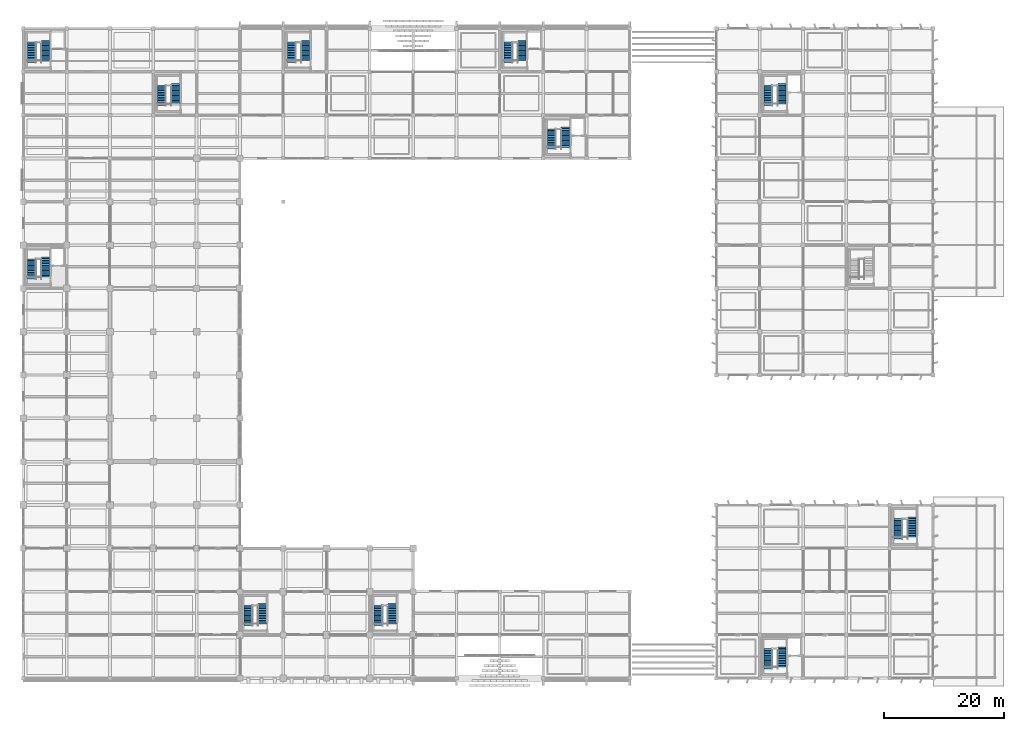
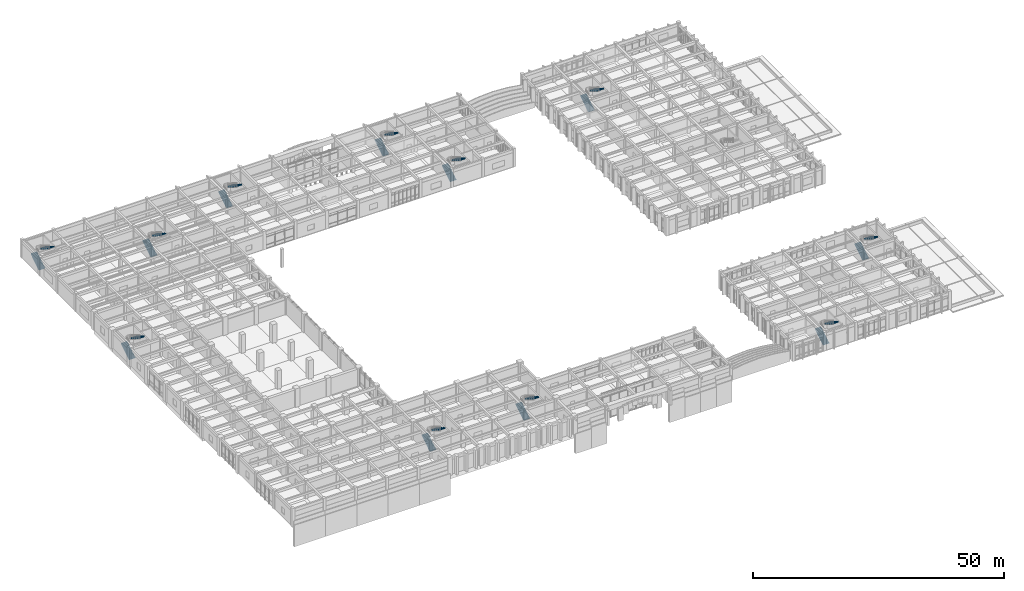
# One storey, part 71 of 81: 22 stair flights, 11 elements without a shape of their own.
"""IFC4 building model written with IfcOpenShell, lengths in metres."""

from ifc_helpers import new_model, si_unit, direction, frame, origin, place, context, subcontext, project, spatial, polyline, outline, extrude, material, type_object, element, aggregate, save


model = new_model("IFC4")

# Units and contexts
model_context = context("Model", 3, precision=1e-05, world=origin(), true_north=direction((0.0, 1.0)))
body_context = subcontext(model_context, "Body", "Model", "MODEL_VIEW")
ifc_project = project(units=[si_unit("LENGTHUNIT", "METRE"), si_unit("AREAUNIT", "SQUARE_METRE"), si_unit("VOLUMEUNIT", "CUBIC_METRE"), si_unit("PLANEANGLEUNIT", "RADIAN"), si_unit("MASSUNIT", "GRAM", prefix="KILO")], contexts=[model_context])

# Site, building, storey
site_placement = place(None, origin())
site = spatial("IfcSite", under=ifc_project, at=site_placement, CompositionType="ELEMENT")
building_placement = place(site_placement, origin())
building = spatial("IfcBuilding", under=site, at=building_placement, Name="Kavelor Marine Aquarium", CompositionType="ELEMENT")
storey_placement = place(building_placement, frame((0.0, 0.0, 4.679931640625)))
storey = spatial("IfcBuildingStorey", under=building, at=storey_placement, Name="L01", CompositionType="ELEMENT", Elevation=4.679931640625)

# Stair, stair flights
ifc_material_1 = material(Name="Concrete C40/50", Category="concrete")
stair_type = type_object("IfcStairType", Name="ST-T2", PredefinedType="HALF_TURN_STAIR", material=ifc_material_1)
stair_1_placement = place(storey_placement, origin())
stair_1 = element("IfcStair", 1, at=stair_1_placement, inside=storey, type_object=stair_type, Name="Exit Stair ST01 (L01)", PredefinedType="HALF_TURN_STAIR")
ifc_material_2 = material(Name="Concrete C40/50", Category="concrete")
stair_flight_type = type_object("IfcStairFlightType", Name="FLT-T2", PredefinedType="STRAIGHT", material=ifc_material_2)
stair_flight_1_placement = place(storey_placement, frame((4.580078125, 105.159912109375, 0.0), z_axis=(0.0, 0.0, 1.0), x_axis=(0.0, 1.0, 0.0)))
stair_flight_1 = element("IfcStairFlight", 2, at=stair_flight_1_placement, type_object=stair_flight_type, Name="ST01 flight 1", NumberOfRisers=13, NumberOfTreads=12, PredefinedType="STRAIGHT", RiserHeight=0.173077, TreadLength=0.28, context=body_context, shape_type="SweptSolid", body=[
    extrude(outline(polyline([(0.0, 0.0), (0.0, 0.173095703125), (0.280029296875, 0.173095703125), (0.280029296875, 0.34619140625), (0.56005859375, 0.34619140625), (0.56005859375, 0.519287109375), (0.840087890625, 0.519287109375), (0.840087890625, 0.6923828125), (1.1201171875, 0.6923828125), (1.1201171875, 0.865478515625), (1.39990234375, 0.865478515625), (1.39990234375, 1.03857421875), (1.679931640625, 1.03857421875), (1.679931640625, 1.21142578125), (1.9599609375, 1.21142578125), (1.9599609375, 1.384521484375), (2.239990234375, 1.384521484375), (2.239990234375, 1.5576171875), (2.52001953125, 1.5576171875), (2.52001953125, 1.730712890625), (2.800048828125, 1.730712890625), (2.800048828125, 1.90380859375), (3.080078125, 1.90380859375), (3.080078125, 2.076904296875), (3.360107421875, 2.076904296875), (3.360107421875, 2.25), (3.360107421875, 1.865478515625), (0.34228515625, 0.0), (0.0, 0.0)])), frame((0.0, 0.68994140625, 0.0), z_axis=(0.0, -1.0, 0.0), x_axis=(1.0, 0.0, 0.0)), (0.0, 0.0, 1.0), 1.3798828125),
])
stair_flight_2_placement = place(storey_placement, frame((6.89990234375, 108.820068359375, 2.25), z_axis=(0.0, 0.0, 1.0), x_axis=(0.0, -1.0, 0.0)))
stair_flight_2 = element("IfcStairFlight", 3, at=stair_flight_2_placement, type_object=stair_flight_type, Name="ST01 flight 2", NumberOfRisers=13, NumberOfTreads=12, PredefinedType="STRAIGHT", RiserHeight=0.173077, TreadLength=0.28, context=body_context, shape_type="SweptSolid", body=[
    extrude(outline(polyline([(0.0, 0.0), (0.0, 0.173095703125), (0.280029296875, 0.173095703125), (0.280029296875, 0.34619140625), (0.56005859375, 0.34619140625), (0.56005859375, 0.519287109375), (0.840087890625, 0.519287109375), (0.840087890625, 0.6923828125), (1.1201171875, 0.6923828125), (1.1201171875, 0.865478515625), (1.39990234375, 0.865478515625), (1.39990234375, 1.03857421875), (1.679931640625, 1.03857421875), (1.679931640625, 1.21142578125), (1.9599609375, 1.21142578125), (1.9599609375, 1.384521484375), (2.239990234375, 1.384521484375), (2.239990234375, 1.5576171875), (2.52001953125, 1.5576171875), (2.52001953125, 1.730712890625), (2.800048828125, 1.730712890625), (2.800048828125, 1.90380859375), (3.080078125, 1.90380859375), (3.080078125, 2.076904296875), (3.360107421875, 2.076904296875), (3.360107421875, 2.25), (3.360107421875, 1.865478515625), (0.34228515625, 0.0), (0.0, 0.0)])), frame((0.0, 0.68994140625, 0.0), z_axis=(0.0, -1.0, 0.0), x_axis=(1.0, 0.0, 0.0)), (0.0, 0.0, 1.0), 1.3798828125),
])
aggregate(stair_1, [stair_flight_1, stair_flight_2])

stair_2_placement = place(storey_placement, origin())
stair_2 = element("IfcStair", 4, at=stair_2_placement, inside=storey, type_object=stair_type, Name="Exit Stair ST02 (L01)", PredefinedType="HALF_TURN_STAIR")
stair_flight_3_placement = place(storey_placement, frame((26.179931640625, 97.9599609375, 0.0), z_axis=(0.0, 0.0, 1.0), x_axis=(0.0, 1.0, 0.0)))
stair_flight_3 = element("IfcStairFlight", 5, at=stair_flight_3_placement, type_object=stair_flight_type, Name="ST02 flight 1", NumberOfRisers=13, NumberOfTreads=12, PredefinedType="STRAIGHT", RiserHeight=0.173077, TreadLength=0.28, context=body_context, shape_type="SweptSolid", body=[
    extrude(outline(polyline([(0.0, 0.0), (0.0, 0.173095703125), (0.280029296875, 0.173095703125), (0.280029296875, 0.34619140625), (0.56005859375, 0.34619140625), (0.56005859375, 0.519287109375), (0.840087890625, 0.519287109375), (0.840087890625, 0.6923828125), (1.1201171875, 0.6923828125), (1.1201171875, 0.865478515625), (1.39990234375, 0.865478515625), (1.39990234375, 1.03857421875), (1.679931640625, 1.03857421875), (1.679931640625, 1.21142578125), (1.9599609375, 1.21142578125), (1.9599609375, 1.384521484375), (2.239990234375, 1.384521484375), (2.239990234375, 1.5576171875), (2.52001953125, 1.5576171875), (2.52001953125, 1.730712890625), (2.800048828125, 1.730712890625), (2.800048828125, 1.90380859375), (3.080078125, 1.90380859375), (3.080078125, 2.076904296875), (3.360107421875, 2.076904296875), (3.360107421875, 2.25), (3.360107421875, 1.865478515625), (0.34228515625, 0.0), (0.0, 0.0)])), frame((0.0, 0.68994140625, 0.0), z_axis=(0.0, -1.0, 0.0), x_axis=(1.0, 0.0, 0.0)), (0.0, 0.0, 1.0), 1.3798828125),
])
stair_flight_4_placement = place(storey_placement, frame((28.5, 101.6201171875, 2.25), z_axis=(0.0, 0.0, 1.0), x_axis=(0.0, -1.0, 0.0)))
stair_flight_4 = element("IfcStairFlight", 6, at=stair_flight_4_placement, type_object=stair_flight_type, Name="ST02 flight 2", NumberOfRisers=13, NumberOfTreads=12, PredefinedType="STRAIGHT", RiserHeight=0.173077, TreadLength=0.28, context=body_context, shape_type="SweptSolid", body=[
    extrude(outline(polyline([(0.0, 0.0), (0.0, 0.173095703125), (0.280029296875, 0.173095703125), (0.280029296875, 0.34619140625), (0.56005859375, 0.34619140625), (0.56005859375, 0.519287109375), (0.840087890625, 0.519287109375), (0.840087890625, 0.6923828125), (1.1201171875, 0.6923828125), (1.1201171875, 0.865478515625), (1.39990234375, 0.865478515625), (1.39990234375, 1.03857421875), (1.679931640625, 1.03857421875), (1.679931640625, 1.21142578125), (1.9599609375, 1.21142578125), (1.9599609375, 1.384521484375), (2.239990234375, 1.384521484375), (2.239990234375, 1.5576171875), (2.52001953125, 1.5576171875), (2.52001953125, 1.730712890625), (2.800048828125, 1.730712890625), (2.800048828125, 1.90380859375), (3.080078125, 1.90380859375), (3.080078125, 2.076904296875), (3.360107421875, 2.076904296875), (3.360107421875, 2.25), (3.360107421875, 1.865478515625), (0.34228515625, 0.0), (0.0, 0.0)])), frame((0.0, 0.68994140625, 0.0), z_axis=(0.0, -1.0, 0.0), x_axis=(1.0, 0.0, 0.0)), (0.0, 0.0, 1.0), 1.3798828125),
])
aggregate(stair_2, [stair_flight_3, stair_flight_4])

stair_3_placement = place(storey_placement, origin())
stair_3 = element("IfcStair", 7, at=stair_3_placement, inside=storey, type_object=stair_type, Name="Exit Stair ST03 (L01)", PredefinedType="HALF_TURN_STAIR")
stair_flight_5_placement = place(storey_placement, frame((4.580078125, 69.159912109375, 0.0), z_axis=(0.0, 0.0, 1.0), x_axis=(0.0, 1.0, 0.0)))
stair_flight_5 = element("IfcStairFlight", 8, at=stair_flight_5_placement, type_object=stair_flight_type, Name="ST03 flight 1", NumberOfRisers=13, NumberOfTreads=12, PredefinedType="STRAIGHT", RiserHeight=0.173077, TreadLength=0.28, context=body_context, shape_type="SweptSolid", body=[
    extrude(outline(polyline([(0.0, 0.0), (0.0, 0.173095703125), (0.280029296875, 0.173095703125), (0.280029296875, 0.34619140625), (0.56005859375, 0.34619140625), (0.56005859375, 0.519287109375), (0.840087890625, 0.519287109375), (0.840087890625, 0.6923828125), (1.1201171875, 0.6923828125), (1.1201171875, 0.865478515625), (1.39990234375, 0.865478515625), (1.39990234375, 1.03857421875), (1.679931640625, 1.03857421875), (1.679931640625, 1.21142578125), (1.9599609375, 1.21142578125), (1.9599609375, 1.384521484375), (2.239990234375, 1.384521484375), (2.239990234375, 1.5576171875), (2.52001953125, 1.5576171875), (2.52001953125, 1.730712890625), (2.800048828125, 1.730712890625), (2.800048828125, 1.90380859375), (3.080078125, 1.90380859375), (3.080078125, 2.076904296875), (3.360107421875, 2.076904296875), (3.360107421875, 2.25), (3.360107421875, 1.865478515625), (0.34228515625, 0.0), (0.0, 0.0)])), frame((0.0, 0.68994140625, 0.0), z_axis=(0.0, -1.0, 0.0), x_axis=(1.0, 0.0, 0.0)), (0.0, 0.0, 1.0), 1.3798828125),
])
stair_flight_6_placement = place(storey_placement, frame((6.89990234375, 72.820068359375, 2.25), z_axis=(0.0, 0.0, 1.0), x_axis=(0.0, -1.0, 0.0)))
stair_flight_6 = element("IfcStairFlight", 9, at=stair_flight_6_placement, type_object=stair_flight_type, Name="ST03 flight 2", NumberOfRisers=13, NumberOfTreads=12, PredefinedType="STRAIGHT", RiserHeight=0.173077, TreadLength=0.28, context=body_context, shape_type="SweptSolid", body=[
    extrude(outline(polyline([(0.0, 0.0), (0.0, 0.173095703125), (0.280029296875, 0.173095703125), (0.280029296875, 0.34619140625), (0.56005859375, 0.34619140625), (0.56005859375, 0.519287109375), (0.840087890625, 0.519287109375), (0.840087890625, 0.6923828125), (1.1201171875, 0.6923828125), (1.1201171875, 0.865478515625), (1.39990234375, 0.865478515625), (1.39990234375, 1.03857421875), (1.679931640625, 1.03857421875), (1.679931640625, 1.21142578125), (1.9599609375, 1.21142578125), (1.9599609375, 1.384521484375), (2.239990234375, 1.384521484375), (2.239990234375, 1.5576171875), (2.52001953125, 1.5576171875), (2.52001953125, 1.730712890625), (2.800048828125, 1.730712890625), (2.800048828125, 1.90380859375), (3.080078125, 1.90380859375), (3.080078125, 2.076904296875), (3.360107421875, 2.076904296875), (3.360107421875, 2.25), (3.360107421875, 1.865478515625), (0.34228515625, 0.0), (0.0, 0.0)])), frame((0.0, 0.68994140625, 0.0), z_axis=(0.0, -1.0, 0.0), x_axis=(1.0, 0.0, 0.0)), (0.0, 0.0, 1.0), 1.3798828125),
])
aggregate(stair_3, [stair_flight_5, stair_flight_6])

stair_4_placement = place(storey_placement, origin())
stair_4 = element("IfcStair", 10, at=stair_4_placement, inside=storey, type_object=stair_type, Name="Exit Stair ST04 (L01)", PredefinedType="HALF_TURN_STAIR")
stair_flight_7_placement = place(storey_placement, frame((40.580078125, 11.56005859375, 0.0), z_axis=(0.0, 0.0, 1.0), x_axis=(0.0, 1.0, 0.0)))
stair_flight_7 = element("IfcStairFlight", 11, at=stair_flight_7_placement, type_object=stair_flight_type, Name="ST04 flight 1", NumberOfRisers=13, NumberOfTreads=12, PredefinedType="STRAIGHT", RiserHeight=0.173077, TreadLength=0.28, context=body_context, shape_type="SweptSolid", body=[
    extrude(outline(polyline([(0.0, 0.0), (0.0, 0.173095703125), (0.280029296875, 0.173095703125), (0.280029296875, 0.34619140625), (0.56005859375, 0.34619140625), (0.56005859375, 0.519287109375), (0.840087890625, 0.519287109375), (0.840087890625, 0.6923828125), (1.1201171875, 0.6923828125), (1.1201171875, 0.865478515625), (1.39990234375, 0.865478515625), (1.39990234375, 1.03857421875), (1.679931640625, 1.03857421875), (1.679931640625, 1.21142578125), (1.9599609375, 1.21142578125), (1.9599609375, 1.384521484375), (2.239990234375, 1.384521484375), (2.239990234375, 1.5576171875), (2.52001953125, 1.5576171875), (2.52001953125, 1.730712890625), (2.800048828125, 1.730712890625), (2.800048828125, 1.90380859375), (3.080078125, 1.90380859375), (3.080078125, 2.076904296875), (3.360107421875, 2.076904296875), (3.360107421875, 2.25), (3.360107421875, 1.865478515625), (0.34228515625, 0.0), (0.0, 0.0)])), frame((0.0, 0.68994140625, 0.0), z_axis=(0.0, -1.0, 0.0), x_axis=(1.0, 0.0, 0.0)), (0.0, 0.0, 1.0), 1.3798828125),
])
stair_flight_8_placement = place(storey_placement, frame((42.89990234375, 15.219970703125, 2.25), z_axis=(0.0, 0.0, 1.0), x_axis=(0.0, -1.0, 0.0)))
stair_flight_8 = element("IfcStairFlight", 12, at=stair_flight_8_placement, type_object=stair_flight_type, Name="ST04 flight 2", NumberOfRisers=13, NumberOfTreads=12, PredefinedType="STRAIGHT", RiserHeight=0.173077, TreadLength=0.28, context=body_context, shape_type="SweptSolid", body=[
    extrude(outline(polyline([(0.0, 0.0), (0.0, 0.173095703125), (0.280029296875, 0.173095703125), (0.280029296875, 0.34619140625), (0.56005859375, 0.34619140625), (0.56005859375, 0.519287109375), (0.840087890625, 0.519287109375), (0.840087890625, 0.6923828125), (1.1201171875, 0.6923828125), (1.1201171875, 0.865478515625), (1.39990234375, 0.865478515625), (1.39990234375, 1.03857421875), (1.679931640625, 1.03857421875), (1.679931640625, 1.21142578125), (1.9599609375, 1.21142578125), (1.9599609375, 1.384521484375), (2.239990234375, 1.384521484375), (2.239990234375, 1.5576171875), (2.52001953125, 1.5576171875), (2.52001953125, 1.730712890625), (2.800048828125, 1.730712890625), (2.800048828125, 1.90380859375), (3.080078125, 1.90380859375), (3.080078125, 2.076904296875), (3.360107421875, 2.076904296875), (3.360107421875, 2.25), (3.360107421875, 1.865478515625), (0.34228515625, 0.0), (0.0, 0.0)])), frame((0.0, 0.68994140625, 0.0), z_axis=(0.0, -1.0, 0.0), x_axis=(1.0, 0.0, 0.0)), (0.0, 0.0, 1.0), 1.3798828125),
])
aggregate(stair_4, [stair_flight_7, stair_flight_8])

stair_5_placement = place(storey_placement, origin())
stair_5 = element("IfcStair", 13, at=stair_5_placement, inside=storey, type_object=stair_type, Name="Exit Stair ST12 (L01)", PredefinedType="HALF_TURN_STAIR")
stair_flight_9_placement = place(storey_placement, frame((62.179931640625, 11.56005859375, 0.0), z_axis=(0.0, 0.0, 1.0), x_axis=(0.0, 1.0, 0.0)))
stair_flight_9 = element("IfcStairFlight", 14, at=stair_flight_9_placement, type_object=stair_flight_type, Name="ST12 flight 1", NumberOfRisers=13, NumberOfTreads=12, PredefinedType="STRAIGHT", RiserHeight=0.173077, TreadLength=0.28, context=body_context, shape_type="SweptSolid", body=[
    extrude(outline(polyline([(0.0, 0.0), (0.0, 0.173095703125), (0.280029296875, 0.173095703125), (0.280029296875, 0.34619140625), (0.56005859375, 0.34619140625), (0.56005859375, 0.519287109375), (0.840087890625, 0.519287109375), (0.840087890625, 0.6923828125), (1.1201171875, 0.6923828125), (1.1201171875, 0.865478515625), (1.39990234375, 0.865478515625), (1.39990234375, 1.03857421875), (1.679931640625, 1.03857421875), (1.679931640625, 1.21142578125), (1.9599609375, 1.21142578125), (1.9599609375, 1.384521484375), (2.239990234375, 1.384521484375), (2.239990234375, 1.5576171875), (2.52001953125, 1.5576171875), (2.52001953125, 1.730712890625), (2.800048828125, 1.730712890625), (2.800048828125, 1.90380859375), (3.080078125, 1.90380859375), (3.080078125, 2.076904296875), (3.360107421875, 2.076904296875), (3.360107421875, 2.25), (3.360107421875, 1.865478515625), (0.34228515625, 0.0), (0.0, 0.0)])), frame((0.0, 0.68994140625, 0.0), z_axis=(0.0, -1.0, 0.0), x_axis=(1.0, 0.0, 0.0)), (0.0, 0.0, 1.0), 1.3798828125),
])
stair_flight_10_placement = place(storey_placement, frame((64.5, 15.219970703125, 2.25), z_axis=(0.0, 0.0, 1.0), x_axis=(0.0, -1.0, 0.0)))
stair_flight_10 = element("IfcStairFlight", 15, at=stair_flight_10_placement, type_object=stair_flight_type, Name="ST12 flight 2", NumberOfRisers=13, NumberOfTreads=12, PredefinedType="STRAIGHT", RiserHeight=0.173077, TreadLength=0.28, context=body_context, shape_type="SweptSolid", body=[
    extrude(outline(polyline([(0.0, 0.0), (0.0, 0.173095703125), (0.280029296875, 0.173095703125), (0.280029296875, 0.34619140625), (0.56005859375, 0.34619140625), (0.56005859375, 0.519287109375), (0.840087890625, 0.519287109375), (0.840087890625, 0.6923828125), (1.1201171875, 0.6923828125), (1.1201171875, 0.865478515625), (1.39990234375, 0.865478515625), (1.39990234375, 1.03857421875), (1.679931640625, 1.03857421875), (1.679931640625, 1.21142578125), (1.9599609375, 1.21142578125), (1.9599609375, 1.384521484375), (2.239990234375, 1.384521484375), (2.239990234375, 1.5576171875), (2.52001953125, 1.5576171875), (2.52001953125, 1.730712890625), (2.800048828125, 1.730712890625), (2.800048828125, 1.90380859375), (3.080078125, 1.90380859375), (3.080078125, 2.076904296875), (3.360107421875, 2.076904296875), (3.360107421875, 2.25), (3.360107421875, 1.865478515625), (0.34228515625, 0.0), (0.0, 0.0)])), frame((0.0, 0.68994140625, 0.0), z_axis=(0.0, -1.0, 0.0), x_axis=(1.0, 0.0, 0.0)), (0.0, 0.0, 1.0), 1.3798828125),
])
aggregate(stair_5, [stair_flight_9, stair_flight_10])

stair_6_placement = place(storey_placement, origin())
stair_6 = element("IfcStair", 16, at=stair_6_placement, inside=storey, type_object=stair_type, Name="Exit Stair ST05 (L01)", PredefinedType="HALF_TURN_STAIR")
stair_flight_11_placement = place(storey_placement, frame((47.780029296875, 105.159912109375, 0.0), z_axis=(0.0, 0.0, 1.0), x_axis=(0.0, 1.0, 0.0)))
stair_flight_11 = element("IfcStairFlight", 17, at=stair_flight_11_placement, type_object=stair_flight_type, Name="ST05 flight 1", NumberOfRisers=13, NumberOfTreads=12, PredefinedType="STRAIGHT", RiserHeight=0.173077, TreadLength=0.28, context=body_context, shape_type="SweptSolid", body=[
    extrude(outline(polyline([(0.0, 0.0), (0.0, 0.173095703125), (0.280029296875, 0.173095703125), (0.280029296875, 0.34619140625), (0.56005859375, 0.34619140625), (0.56005859375, 0.519287109375), (0.840087890625, 0.519287109375), (0.840087890625, 0.6923828125), (1.1201171875, 0.6923828125), (1.1201171875, 0.865478515625), (1.39990234375, 0.865478515625), (1.39990234375, 1.03857421875), (1.679931640625, 1.03857421875), (1.679931640625, 1.21142578125), (1.9599609375, 1.21142578125), (1.9599609375, 1.384521484375), (2.239990234375, 1.384521484375), (2.239990234375, 1.5576171875), (2.52001953125, 1.5576171875), (2.52001953125, 1.730712890625), (2.800048828125, 1.730712890625), (2.800048828125, 1.90380859375), (3.080078125, 1.90380859375), (3.080078125, 2.076904296875), (3.360107421875, 2.076904296875), (3.360107421875, 2.25), (3.360107421875, 1.865478515625), (0.34228515625, 0.0), (0.0, 0.0)])), frame((0.0, 0.68994140625, 0.0), z_axis=(0.0, -1.0, 0.0), x_axis=(1.0, 0.0, 0.0)), (0.0, 0.0, 1.0), 1.3798828125),
])
stair_flight_12_placement = place(storey_placement, frame((50.10009765625, 108.820068359375, 2.25), z_axis=(0.0, 0.0, 1.0), x_axis=(0.0, -1.0, 0.0)))
stair_flight_12 = element("IfcStairFlight", 18, at=stair_flight_12_placement, type_object=stair_flight_type, Name="ST05 flight 2", NumberOfRisers=13, NumberOfTreads=12, PredefinedType="STRAIGHT", RiserHeight=0.173077, TreadLength=0.28, context=body_context, shape_type="SweptSolid", body=[
    extrude(outline(polyline([(0.0, 0.0), (0.0, 0.173095703125), (0.280029296875, 0.173095703125), (0.280029296875, 0.34619140625), (0.56005859375, 0.34619140625), (0.56005859375, 0.519287109375), (0.840087890625, 0.519287109375), (0.840087890625, 0.6923828125), (1.1201171875, 0.6923828125), (1.1201171875, 0.865478515625), (1.39990234375, 0.865478515625), (1.39990234375, 1.03857421875), (1.679931640625, 1.03857421875), (1.679931640625, 1.21142578125), (1.9599609375, 1.21142578125), (1.9599609375, 1.384521484375), (2.239990234375, 1.384521484375), (2.239990234375, 1.5576171875), (2.52001953125, 1.5576171875), (2.52001953125, 1.730712890625), (2.800048828125, 1.730712890625), (2.800048828125, 1.90380859375), (3.080078125, 1.90380859375), (3.080078125, 2.076904296875), (3.360107421875, 2.076904296875), (3.360107421875, 2.25), (3.360107421875, 1.865478515625), (0.34228515625, 0.0), (0.0, 0.0)])), frame((0.0, 0.68994140625, 0.0), z_axis=(0.0, -1.0, 0.0), x_axis=(1.0, 0.0, 0.0)), (0.0, 0.0, 1.0), 1.3798828125),
])
aggregate(stair_6, [stair_flight_11, stair_flight_12])

stair_7_placement = place(storey_placement, origin())
stair_7 = element("IfcStair", 19, at=stair_7_placement, inside=storey, type_object=stair_type, Name="Exit Stair ST06 (L01)", PredefinedType="HALF_TURN_STAIR")
stair_flight_13_placement = place(storey_placement, frame((83.780029296875, 105.159912109375, 0.0), z_axis=(0.0, 0.0, 1.0), x_axis=(0.0, 1.0, 0.0)))
stair_flight_13 = element("IfcStairFlight", 20, at=stair_flight_13_placement, type_object=stair_flight_type, Name="ST06 flight 1", NumberOfRisers=13, NumberOfTreads=12, PredefinedType="STRAIGHT", RiserHeight=0.173077, TreadLength=0.28, context=body_context, shape_type="SweptSolid", body=[
    extrude(outline(polyline([(0.0, 0.0), (0.0, 0.173095703125), (0.280029296875, 0.173095703125), (0.280029296875, 0.34619140625), (0.56005859375, 0.34619140625), (0.56005859375, 0.519287109375), (0.840087890625, 0.519287109375), (0.840087890625, 0.6923828125), (1.1201171875, 0.6923828125), (1.1201171875, 0.865478515625), (1.39990234375, 0.865478515625), (1.39990234375, 1.03857421875), (1.679931640625, 1.03857421875), (1.679931640625, 1.21142578125), (1.9599609375, 1.21142578125), (1.9599609375, 1.384521484375), (2.239990234375, 1.384521484375), (2.239990234375, 1.5576171875), (2.52001953125, 1.5576171875), (2.52001953125, 1.730712890625), (2.800048828125, 1.730712890625), (2.800048828125, 1.90380859375), (3.080078125, 1.90380859375), (3.080078125, 2.076904296875), (3.360107421875, 2.076904296875), (3.360107421875, 2.25), (3.360107421875, 1.865478515625), (0.34228515625, 0.0), (0.0, 0.0)])), frame((0.0, 0.68994140625, 0.0), z_axis=(0.0, -1.0, 0.0), x_axis=(1.0, 0.0, 0.0)), (0.0, 0.0, 1.0), 1.3798828125),
])
stair_flight_14_placement = place(storey_placement, frame((86.10009765625, 108.820068359375, 2.25), z_axis=(0.0, 0.0, 1.0), x_axis=(0.0, -1.0, 0.0)))
stair_flight_14 = element("IfcStairFlight", 21, at=stair_flight_14_placement, type_object=stair_flight_type, Name="ST06 flight 2", NumberOfRisers=13, NumberOfTreads=12, PredefinedType="STRAIGHT", RiserHeight=0.173077, TreadLength=0.28, context=body_context, shape_type="SweptSolid", body=[
    extrude(outline(polyline([(0.0, 0.0), (0.0, 0.173095703125), (0.280029296875, 0.173095703125), (0.280029296875, 0.34619140625), (0.56005859375, 0.34619140625), (0.56005859375, 0.519287109375), (0.840087890625, 0.519287109375), (0.840087890625, 0.6923828125), (1.1201171875, 0.6923828125), (1.1201171875, 0.865478515625), (1.39990234375, 0.865478515625), (1.39990234375, 1.03857421875), (1.679931640625, 1.03857421875), (1.679931640625, 1.21142578125), (1.9599609375, 1.21142578125), (1.9599609375, 1.384521484375), (2.239990234375, 1.384521484375), (2.239990234375, 1.5576171875), (2.52001953125, 1.5576171875), (2.52001953125, 1.730712890625), (2.800048828125, 1.730712890625), (2.800048828125, 1.90380859375), (3.080078125, 1.90380859375), (3.080078125, 2.076904296875), (3.360107421875, 2.076904296875), (3.360107421875, 2.25), (3.360107421875, 1.865478515625), (0.34228515625, 0.0), (0.0, 0.0)])), frame((0.0, 0.68994140625, 0.0), z_axis=(0.0, -1.0, 0.0), x_axis=(1.0, 0.0, 0.0)), (0.0, 0.0, 1.0), 1.3798828125),
])
aggregate(stair_7, [stair_flight_13, stair_flight_14])

stair_8_placement = place(storey_placement, origin())
stair_8 = element("IfcStair", 22, at=stair_8_placement, inside=storey, type_object=stair_type, Name="Exit Stair ST07 (L01)", PredefinedType="HALF_TURN_STAIR")
stair_flight_15_placement = place(storey_placement, frame((90.97998046875, 90.760009765625, 0.0), z_axis=(0.0, 0.0, 1.0), x_axis=(0.0, 1.0, 0.0)))
stair_flight_15 = element("IfcStairFlight", 23, at=stair_flight_15_placement, type_object=stair_flight_type, Name="ST07 flight 1", NumberOfRisers=13, NumberOfTreads=12, PredefinedType="STRAIGHT", RiserHeight=0.173077, TreadLength=0.28, context=body_context, shape_type="SweptSolid", body=[
    extrude(outline(polyline([(0.0, 0.0), (0.0, 0.173095703125), (0.280029296875, 0.173095703125), (0.280029296875, 0.34619140625), (0.56005859375, 0.34619140625), (0.56005859375, 0.519287109375), (0.840087890625, 0.519287109375), (0.840087890625, 0.6923828125), (1.1201171875, 0.6923828125), (1.1201171875, 0.865478515625), (1.39990234375, 0.865478515625), (1.39990234375, 1.03857421875), (1.679931640625, 1.03857421875), (1.679931640625, 1.21142578125), (1.9599609375, 1.21142578125), (1.9599609375, 1.384521484375), (2.239990234375, 1.384521484375), (2.239990234375, 1.5576171875), (2.52001953125, 1.5576171875), (2.52001953125, 1.730712890625), (2.800048828125, 1.730712890625), (2.800048828125, 1.90380859375), (3.080078125, 1.90380859375), (3.080078125, 2.076904296875), (3.360107421875, 2.076904296875), (3.360107421875, 2.25), (3.360107421875, 1.865478515625), (0.34228515625, 0.0), (0.0, 0.0)])), frame((0.0, 0.68994140625, 0.0), z_axis=(0.0, -1.0, 0.0), x_axis=(1.0, 0.0, 0.0)), (0.0, 0.0, 1.0), 1.3798828125),
])
stair_flight_16_placement = place(storey_placement, frame((93.300048828125, 94.419921875, 2.25), z_axis=(0.0, 0.0, 1.0), x_axis=(0.0, -1.0, 0.0)))
stair_flight_16 = element("IfcStairFlight", 24, at=stair_flight_16_placement, type_object=stair_flight_type, Name="ST07 flight 2", NumberOfRisers=13, NumberOfTreads=12, PredefinedType="STRAIGHT", RiserHeight=0.173077, TreadLength=0.28, context=body_context, shape_type="SweptSolid", body=[
    extrude(outline(polyline([(0.0, 0.0), (0.0, 0.173095703125), (0.280029296875, 0.173095703125), (0.280029296875, 0.34619140625), (0.56005859375, 0.34619140625), (0.56005859375, 0.519287109375), (0.840087890625, 0.519287109375), (0.840087890625, 0.6923828125), (1.1201171875, 0.6923828125), (1.1201171875, 0.865478515625), (1.39990234375, 0.865478515625), (1.39990234375, 1.03857421875), (1.679931640625, 1.03857421875), (1.679931640625, 1.21142578125), (1.9599609375, 1.21142578125), (1.9599609375, 1.384521484375), (2.239990234375, 1.384521484375), (2.239990234375, 1.5576171875), (2.52001953125, 1.5576171875), (2.52001953125, 1.730712890625), (2.800048828125, 1.730712890625), (2.800048828125, 1.90380859375), (3.080078125, 1.90380859375), (3.080078125, 2.076904296875), (3.360107421875, 2.076904296875), (3.360107421875, 2.25), (3.360107421875, 1.865478515625), (0.34228515625, 0.0), (0.0, 0.0)])), frame((0.0, 0.68994140625, 0.0), z_axis=(0.0, -1.0, 0.0), x_axis=(1.0, 0.0, 0.0)), (0.0, 0.0, 1.0), 1.3798828125),
])
aggregate(stair_8, [stair_flight_15, stair_flight_16])

stair_9_placement = place(storey_placement, origin())
stair_9 = element("IfcStair", 25, at=stair_9_placement, inside=storey, type_object=stair_type, Name="Exit Stair ST08 (L01)", PredefinedType="HALF_TURN_STAIR")
stair_flight_17_placement = place(storey_placement, frame((126.97998046875, 4.360107421875, 0.0), z_axis=(0.0, 0.0, 1.0), x_axis=(0.0, 1.0, 0.0)))
stair_flight_17 = element("IfcStairFlight", 26, at=stair_flight_17_placement, type_object=stair_flight_type, Name="ST08 flight 1", NumberOfRisers=13, NumberOfTreads=12, PredefinedType="STRAIGHT", RiserHeight=0.173077, TreadLength=0.28, context=body_context, shape_type="SweptSolid", body=[
    extrude(outline(polyline([(0.0, 0.0), (0.0, 0.173095703125), (0.280029296875, 0.173095703125), (0.280029296875, 0.34619140625), (0.56005859375, 0.34619140625), (0.56005859375, 0.519287109375), (0.840087890625, 0.519287109375), (0.840087890625, 0.6923828125), (1.1201171875, 0.6923828125), (1.1201171875, 0.865478515625), (1.39990234375, 0.865478515625), (1.39990234375, 1.03857421875), (1.679931640625, 1.03857421875), (1.679931640625, 1.21142578125), (1.9599609375, 1.21142578125), (1.9599609375, 1.384521484375), (2.239990234375, 1.384521484375), (2.239990234375, 1.5576171875), (2.52001953125, 1.5576171875), (2.52001953125, 1.730712890625), (2.800048828125, 1.730712890625), (2.800048828125, 1.90380859375), (3.080078125, 1.90380859375), (3.080078125, 2.076904296875), (3.360107421875, 2.076904296875), (3.360107421875, 2.25), (3.360107421875, 1.865478515625), (0.34228515625, 0.0), (0.0, 0.0)])), frame((0.0, 0.68994140625, 0.0), z_axis=(0.0, -1.0, 0.0), x_axis=(1.0, 0.0, 0.0)), (0.0, 0.0, 1.0), 1.3798828125),
])
stair_flight_18_placement = place(storey_placement, frame((129.300048828125, 8.02001953125, 2.25), z_axis=(0.0, 0.0, 1.0), x_axis=(0.0, -1.0, 0.0)))
stair_flight_18 = element("IfcStairFlight", 27, at=stair_flight_18_placement, type_object=stair_flight_type, Name="ST08 flight 2", NumberOfRisers=13, NumberOfTreads=12, PredefinedType="STRAIGHT", RiserHeight=0.173077, TreadLength=0.28, context=body_context, shape_type="SweptSolid", body=[
    extrude(outline(polyline([(0.0, 0.0), (0.0, 0.173095703125), (0.280029296875, 0.173095703125), (0.280029296875, 0.34619140625), (0.56005859375, 0.34619140625), (0.56005859375, 0.519287109375), (0.840087890625, 0.519287109375), (0.840087890625, 0.6923828125), (1.1201171875, 0.6923828125), (1.1201171875, 0.865478515625), (1.39990234375, 0.865478515625), (1.39990234375, 1.03857421875), (1.679931640625, 1.03857421875), (1.679931640625, 1.21142578125), (1.9599609375, 1.21142578125), (1.9599609375, 1.384521484375), (2.239990234375, 1.384521484375), (2.239990234375, 1.5576171875), (2.52001953125, 1.5576171875), (2.52001953125, 1.730712890625), (2.800048828125, 1.730712890625), (2.800048828125, 1.90380859375), (3.080078125, 1.90380859375), (3.080078125, 2.076904296875), (3.360107421875, 2.076904296875), (3.360107421875, 2.25), (3.360107421875, 1.865478515625), (0.34228515625, 0.0), (0.0, 0.0)])), frame((0.0, 0.68994140625, 0.0), z_axis=(0.0, -1.0, 0.0), x_axis=(1.0, 0.0, 0.0)), (0.0, 0.0, 1.0), 1.3798828125),
])
aggregate(stair_9, [stair_flight_17, stair_flight_18])

stair_10_placement = place(storey_placement, origin())
stair_10 = element("IfcStair", 28, at=stair_10_placement, inside=storey, type_object=stair_type, Name="Exit Stair ST09 (L01)", PredefinedType="HALF_TURN_STAIR")
stair_flight_19_placement = place(storey_placement, frame((148.580078125, 25.9599609375, 0.0), z_axis=(0.0, 0.0, 1.0), x_axis=(0.0, 1.0, 0.0)))
stair_flight_19 = element("IfcStairFlight", 29, at=stair_flight_19_placement, type_object=stair_flight_type, Name="ST09 flight 1", NumberOfRisers=13, NumberOfTreads=12, PredefinedType="STRAIGHT", RiserHeight=0.173077, TreadLength=0.28, context=body_context, shape_type="SweptSolid", body=[
    extrude(outline(polyline([(0.0, 0.0), (0.0, 0.173095703125), (0.280029296875, 0.173095703125), (0.280029296875, 0.34619140625), (0.56005859375, 0.34619140625), (0.56005859375, 0.519287109375), (0.840087890625, 0.519287109375), (0.840087890625, 0.6923828125), (1.1201171875, 0.6923828125), (1.1201171875, 0.865478515625), (1.39990234375, 0.865478515625), (1.39990234375, 1.03857421875), (1.679931640625, 1.03857421875), (1.679931640625, 1.21142578125), (1.9599609375, 1.21142578125), (1.9599609375, 1.384521484375), (2.239990234375, 1.384521484375), (2.239990234375, 1.5576171875), (2.52001953125, 1.5576171875), (2.52001953125, 1.730712890625), (2.800048828125, 1.730712890625), (2.800048828125, 1.90380859375), (3.080078125, 1.90380859375), (3.080078125, 2.076904296875), (3.360107421875, 2.076904296875), (3.360107421875, 2.25), (3.360107421875, 1.865478515625), (0.34228515625, 0.0), (0.0, 0.0)])), frame((0.0, 0.68994140625, 0.0), z_axis=(0.0, -1.0, 0.0), x_axis=(1.0, 0.0, 0.0)), (0.0, 0.0, 1.0), 1.3798828125),
])
stair_flight_20_placement = place(storey_placement, frame((150.89990234375, 29.6201171875, 2.25), z_axis=(0.0, 0.0, 1.0), x_axis=(0.0, -1.0, 0.0)))
stair_flight_20 = element("IfcStairFlight", 30, at=stair_flight_20_placement, type_object=stair_flight_type, Name="ST09 flight 2", NumberOfRisers=13, NumberOfTreads=12, PredefinedType="STRAIGHT", RiserHeight=0.173077, TreadLength=0.28, context=body_context, shape_type="SweptSolid", body=[
    extrude(outline(polyline([(0.0, 0.0), (0.0, 0.173095703125), (0.280029296875, 0.173095703125), (0.280029296875, 0.34619140625), (0.56005859375, 0.34619140625), (0.56005859375, 0.519287109375), (0.840087890625, 0.519287109375), (0.840087890625, 0.6923828125), (1.1201171875, 0.6923828125), (1.1201171875, 0.865478515625), (1.39990234375, 0.865478515625), (1.39990234375, 1.03857421875), (1.679931640625, 1.03857421875), (1.679931640625, 1.21142578125), (1.9599609375, 1.21142578125), (1.9599609375, 1.384521484375), (2.239990234375, 1.384521484375), (2.239990234375, 1.5576171875), (2.52001953125, 1.5576171875), (2.52001953125, 1.730712890625), (2.800048828125, 1.730712890625), (2.800048828125, 1.90380859375), (3.080078125, 1.90380859375), (3.080078125, 2.076904296875), (3.360107421875, 2.076904296875), (3.360107421875, 2.25), (3.360107421875, 1.865478515625), (0.34228515625, 0.0), (0.0, 0.0)])), frame((0.0, 0.68994140625, 0.0), z_axis=(0.0, -1.0, 0.0), x_axis=(1.0, 0.0, 0.0)), (0.0, 0.0, 1.0), 1.3798828125),
])
aggregate(stair_10, [stair_flight_19, stair_flight_20])

stair_11_placement = place(storey_placement, origin())
stair_11 = element("IfcStair", 31, at=stair_11_placement, inside=storey, type_object=stair_type, Name="Exit Stair ST10 (L01)", PredefinedType="HALF_TURN_STAIR")
stair_flight_21_placement = place(storey_placement, frame((126.97998046875, 97.9599609375, 0.0), z_axis=(0.0, 0.0, 1.0), x_axis=(0.0, 1.0, 0.0)))
stair_flight_21 = element("IfcStairFlight", 32, at=stair_flight_21_placement, type_object=stair_flight_type, Name="ST10 flight 1", NumberOfRisers=13, NumberOfTreads=12, PredefinedType="STRAIGHT", RiserHeight=0.173077, TreadLength=0.28, context=body_context, shape_type="SweptSolid", body=[
    extrude(outline(polyline([(0.0, 0.0), (0.0, 0.173095703125), (0.280029296875, 0.173095703125), (0.280029296875, 0.34619140625), (0.56005859375, 0.34619140625), (0.56005859375, 0.519287109375), (0.840087890625, 0.519287109375), (0.840087890625, 0.6923828125), (1.1201171875, 0.6923828125), (1.1201171875, 0.865478515625), (1.39990234375, 0.865478515625), (1.39990234375, 1.03857421875), (1.679931640625, 1.03857421875), (1.679931640625, 1.21142578125), (1.9599609375, 1.21142578125), (1.9599609375, 1.384521484375), (2.239990234375, 1.384521484375), (2.239990234375, 1.5576171875), (2.52001953125, 1.5576171875), (2.52001953125, 1.730712890625), (2.800048828125, 1.730712890625), (2.800048828125, 1.90380859375), (3.080078125, 1.90380859375), (3.080078125, 2.076904296875), (3.360107421875, 2.076904296875), (3.360107421875, 2.25), (3.360107421875, 1.865478515625), (0.34228515625, 0.0), (0.0, 0.0)])), frame((0.0, 0.68994140625, 0.0), z_axis=(0.0, -1.0, 0.0), x_axis=(1.0, 0.0, 0.0)), (0.0, 0.0, 1.0), 1.3798828125),
])
stair_flight_22_placement = place(storey_placement, frame((129.300048828125, 101.6201171875, 2.25), z_axis=(0.0, 0.0, 1.0), x_axis=(0.0, -1.0, 0.0)))
stair_flight_22 = element("IfcStairFlight", 33, at=stair_flight_22_placement, type_object=stair_flight_type, Name="ST10 flight 2", NumberOfRisers=13, NumberOfTreads=12, PredefinedType="STRAIGHT", RiserHeight=0.173077, TreadLength=0.28, context=body_context, shape_type="SweptSolid", body=[
    extrude(outline(polyline([(0.0, 0.0), (0.0, 0.173095703125), (0.280029296875, 0.173095703125), (0.280029296875, 0.34619140625), (0.56005859375, 0.34619140625), (0.56005859375, 0.519287109375), (0.840087890625, 0.519287109375), (0.840087890625, 0.6923828125), (1.1201171875, 0.6923828125), (1.1201171875, 0.865478515625), (1.39990234375, 0.865478515625), (1.39990234375, 1.03857421875), (1.679931640625, 1.03857421875), (1.679931640625, 1.21142578125), (1.9599609375, 1.21142578125), (1.9599609375, 1.384521484375), (2.239990234375, 1.384521484375), (2.239990234375, 1.5576171875), (2.52001953125, 1.5576171875), (2.52001953125, 1.730712890625), (2.800048828125, 1.730712890625), (2.800048828125, 1.90380859375), (3.080078125, 1.90380859375), (3.080078125, 2.076904296875), (3.360107421875, 2.076904296875), (3.360107421875, 2.25), (3.360107421875, 1.865478515625), (0.34228515625, 0.0), (0.0, 0.0)])), frame((0.0, 0.68994140625, 0.0), z_axis=(0.0, -1.0, 0.0), x_axis=(1.0, 0.0, 0.0)), (0.0, 0.0, 1.0), 1.3798828125),
])
aggregate(stair_11, [stair_flight_21, stair_flight_22])

save(model, "model.ifc")
